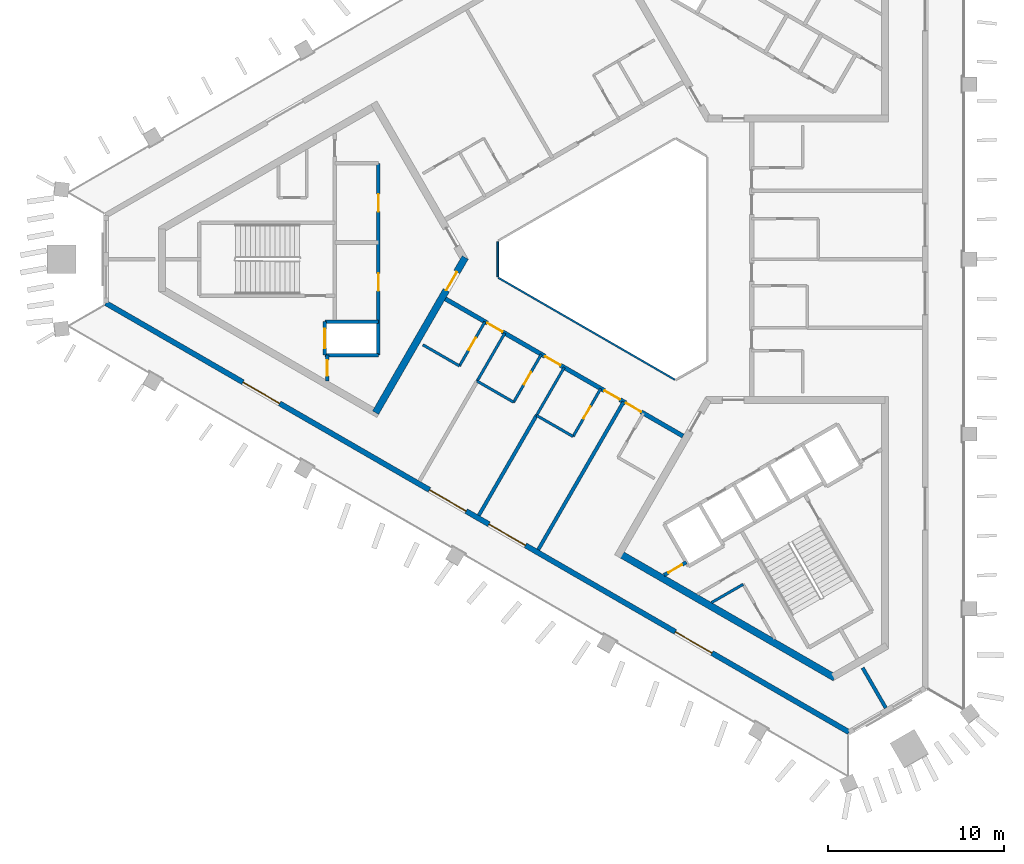
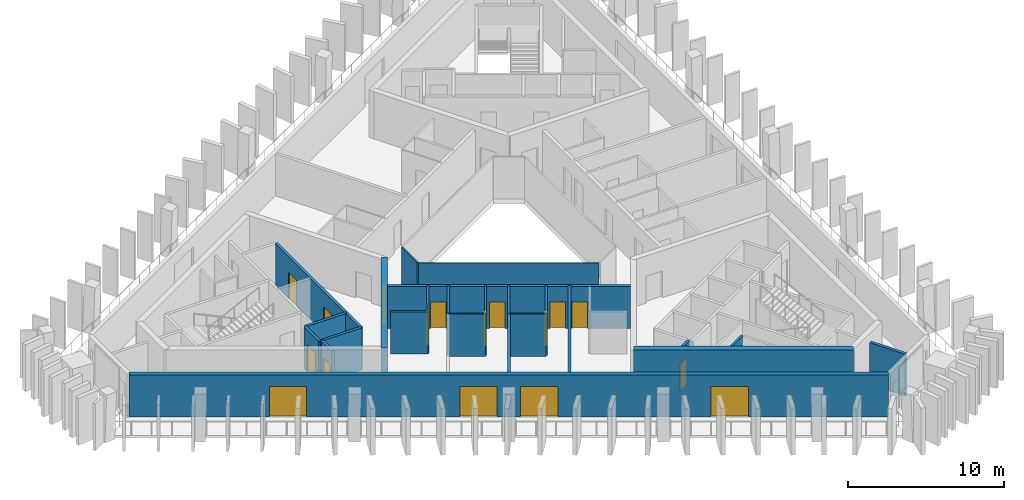
# One storey, part 2 of 10: 24 walls, 17 doors, 17 openings.
"""IFC4 building model written with IfcOpenShell, lengths in metres."""

import ifcopenshell
import ifcopenshell.guid

model = None  # the IFC model being written
_history = None  # IfcOwnerHistory: only IFC2X3 demands one
_inside = {}  # id of a spatial element -> (the spatial element, [elements in it])
_under = {}  # id of a project, library or spatial element -> (it, [spatial elements below it])
_declared = {}  # id of a project -> (the project, [libraries it declares])
_typed = {}  # id of a type object -> (the type object, [elements of that type])
_made_of = {}  # id of a material, layer set ... -> (it, [elements and type objects made of it])


def new_model(schema):
    """Start an empty IFC model of exactly this schema.

    Asked for "IFC4X3", IfcOpenShell would pick the latest addendum, in which some entities
    have other attributes; the version numbers below select the first issue.
    IFC2X3 requires an IfcOwnerHistory on every rooted entity: one is made here for all.
    """
    global model, _history
    if schema == "IFC4X3":
        model = ifcopenshell.file(schema_version=(4, 3, 0, 0))
    else:
        model = ifcopenshell.file(schema=schema)
    _inside.clear()
    _under.clear()
    _declared.clear()
    _typed.clear()
    _made_of.clear()
    _history = None
    if model.schema == "IFC2X3":
        org = make("IfcOrganization", Name="unknown")
        user = make(
            "IfcPersonAndOrganization",
            ThePerson=make("IfcPerson", FamilyName="unknown"),
            TheOrganization=org,
        )
        app = make(
            "IfcApplication",
            ApplicationDeveloper=org,
            Version="unknown",
            ApplicationFullName="unknown",
            ApplicationIdentifier="unknown",
        )
        _history = make(
            "IfcOwnerHistory",
            OwningUser=user,
            OwningApplication=app,
            ChangeAction="ADDED",
            CreationDate=0,
        )
    return model


def make(cls, **values):
    """One entity of the class cls with the attributes given. An attribute that is None is left unset."""
    return model.create_entity(
        cls, **{name: value for name, value in values.items() if value is not None}
    )


def rooted(cls, **values):
    """An entity with a GlobalId (a new one), such as an element, a storey or a relation."""
    return make(cls, GlobalId=ifcopenshell.guid.new(), OwnerHistory=_history, **values)


def si_unit(unit_type, name, prefix=None):
    """IfcSIUnit, for example si_unit("LENGTHUNIT", "METRE", prefix="MILLI")."""
    return make("IfcSIUnit", UnitType=unit_type, Prefix=prefix, Name=name)


def assignment(units):
    """IfcUnitAssignment: the units of a project."""
    return None if units is None else make("IfcUnitAssignment", Units=units)


def point(xyz):
    """IfcCartesianPoint."""
    return None if xyz is None else make("IfcCartesianPoint", Coordinates=xyz)


def direction(xyz):
    """IfcDirection."""
    return None if xyz is None else make("IfcDirection", DirectionRatios=xyz)


def frame(location, z_axis=None, x_axis=None):
    """IfcAxis2Placement3D, a coordinate frame: its origin and axes. An axis left out is left unset."""
    return make(
        "IfcAxis2Placement3D",
        Location=point(location),
        Axis=direction(z_axis),
        RefDirection=direction(x_axis),
    )


def frame_2d(location, x_axis=None):
    """IfcAxis2Placement2D, a coordinate frame in the plane: its origin and x axis."""
    return make(
        "IfcAxis2Placement2D", Location=point(location), RefDirection=direction(x_axis)
    )


def origin():
    """The frame at (0, 0, 0) with its axes left unset."""
    return frame((0.0, 0.0, 0.0))


def place(relative_to, where):
    """IfcLocalPlacement: puts the frame where relative to a parent placement (None: the world)."""
    return make(
        "IfcLocalPlacement", PlacementRelTo=relative_to, RelativePlacement=where
    )


def context(
    kind, dimensions, precision=None, world=None, true_north=None, identifier=None
):
    """IfcGeometricRepresentationContext, for example the 3D "Model" context."""
    return make(
        "IfcGeometricRepresentationContext",
        ContextIdentifier=identifier,
        ContextType=kind,
        CoordinateSpaceDimension=dimensions,
        Precision=precision,
        WorldCoordinateSystem=world,
        TrueNorth=true_north,
    )


def subcontext(parent, identifier, kind, view, scale=None):
    """IfcGeometricRepresentationSubContext, for example "Body" below "Model"."""
    return make(
        "IfcGeometricRepresentationSubContext",
        ContextIdentifier=identifier,
        ContextType=kind,
        ParentContext=parent,
        TargetScale=scale,
        TargetView=view,
    )


def project(units=None, contexts=None):
    """IfcProject with its units and contexts."""
    return rooted(
        "IfcProject",
        Name="project",
        RepresentationContexts=contexts,
        UnitsInContext=assignment(units),
    )


def spatial(cls, under=None, at=None, **own):
    """A site, building, storey or space (cls), placed at a placement, below another one or the project."""
    s = rooted(cls, ObjectPlacement=at, **own)
    if under is not None:
        _under.setdefault(under.id(), (under, []))[1].append(s)
    return s


def profile(cls, at=None, kind="AREA", **sizes):
    """A parametric profile (cls). Its sizes go by their IFC names, for example OverallWidth=200.0."""
    return make(cls, ProfileType=kind, Position=at, **sizes)


def rectangle(**sizes):
    """IfcRectangleProfileDef."""
    return profile("IfcRectangleProfileDef", **sizes)


def extrude(swept, where, along, depth):
    """IfcExtrudedAreaSolid: the profile swept, set in the frame where, extruded along a direction by depth."""
    return make(
        "IfcExtrudedAreaSolid",
        SweptArea=swept,
        Position=where,
        ExtrudedDirection=direction(along),
        Depth=depth,
    )


def shape(context_of_items, identifier, shape_type, items):
    """IfcShapeRepresentation: the items that make up one representation, for example the "Body"."""
    return make(
        "IfcShapeRepresentation",
        ContextOfItems=context_of_items,
        RepresentationIdentifier=identifier,
        RepresentationType=shape_type,
        Items=items,
    )


def material(Name=None, Category=None):
    """IfcMaterial."""
    return make("IfcMaterial", Name=Name, Category=Category)


def layer(
    of_material, thickness, ventilated=None, Name=None, Category=None, Priority=None
):
    """IfcMaterialLayer: one layer of a wall or slab, of a material (None: an air gap)."""
    return make(
        "IfcMaterialLayer",
        Material=of_material,
        LayerThickness=thickness,
        IsVentilated=ventilated,
        Name=Name,
        Category=Category,
        Priority=Priority,
    )


def layer_set(layers, Name=None):
    """IfcMaterialLayerSet."""
    return make("IfcMaterialLayerSet", MaterialLayers=layers, LayerSetName=Name)


def made_of(thing, what):
    """Note that an element or type object is made of a material, layer set ...; save() writes the relation."""
    if what is not None:
        _made_of.setdefault(what.id(), (what, []))[1].append(thing)
    return thing


def type_object(cls, material=None, **own):
    """A type object (cls), such as IfcWallType, which elements share."""
    return made_of(rooted(cls, **own), material)


def element(
    cls,
    number,
    at=None,
    inside=None,
    cuts=None,
    type_object=None,
    material=None,
    context=None,
    identifier="Body",
    shape_type=None,
    held_by="IfcProductDefinitionShape",
    body=None,
    shapes=None,
    **own,
):
    """One element of the class cls, such as IfcWall. Its Tag is "e" and its number.

    at: its placement. inside: the storey or other place that contains it. cuts: it is an
    opening in that element (IfcRelVoidsElement). A single representation is given by context,
    identifier, shape_type and body (its items); several are given by shapes. held_by: the class
    of the entity that holds the representations. save() writes the other relations.
    """
    e = rooted(cls, Tag="e%d" % number, ObjectPlacement=at, **own)
    if body is not None:
        shapes = [shape(context, identifier, shape_type, body)]
    if shapes is not None:
        e.Representation = make(held_by, Representations=shapes)
    if inside is not None:
        _inside.setdefault(inside.id(), (inside, []))[1].append(e)
    if cuts is not None:
        rooted(
            "IfcRelVoidsElement", RelatingBuildingElement=cuts, RelatedOpeningElement=e
        )
    if type_object is not None:
        _typed.setdefault(type_object.id(), (type_object, []))[1].append(e)
    return made_of(e, material)


def fill(opening, filler):
    """IfcRelFillsElement: the door or window that sits in an opening."""
    return rooted(
        "IfcRelFillsElement",
        RelatingOpeningElement=opening,
        RelatedBuildingElement=filler,
    )


def aggregate(whole, parts):
    """IfcRelAggregates: a whole, such as a stair, and the parts it consists of."""
    return rooted("IfcRelAggregates", RelatingObject=whole, RelatedObjects=parts)


def save(model, path):
    """Write the relations noted so far, then the file.

    IfcRelAggregates (storeys below a building ...), IfcRelContainedInSpatialStructure (elements
    in a storey), IfcRelDefinesByType, IfcRelAssociatesMaterial and IfcRelDeclares: one each for
    every whole, place, type object, material and project.
    """
    for whole, parts in _under.values():
        aggregate(whole, parts)
    for where, things in _inside.values():
        rooted(
            "IfcRelContainedInSpatialStructure",
            RelatedElements=things,
            RelatingStructure=where,
        )
    for kind, things in _typed.values():
        rooted("IfcRelDefinesByType", RelatedObjects=things, RelatingType=kind)
    for what, things in _made_of.values():
        rooted("IfcRelAssociatesMaterial", RelatedObjects=things, RelatingMaterial=what)
    for by, libraries in _declared.values():
        rooted("IfcRelDeclares", RelatingContext=by, RelatedDefinitions=libraries)
    model.write(path)


model = new_model("IFC4")

# Units and contexts
model_context = context("Model", 3, precision=1e-05, world=origin(), true_north=direction((0.0, 1.0)))
body_context = subcontext(model_context, "Body", "Model", "MODEL_VIEW")
ifc_project = project(units=[si_unit("LENGTHUNIT", "METRE"), si_unit("AREAUNIT", "SQUARE_METRE"), si_unit("VOLUMEUNIT", "CUBIC_METRE"), si_unit("PLANEANGLEUNIT", "RADIAN"), si_unit("MASSUNIT", "GRAM", prefix="KILO")], contexts=[model_context])

# Site, building, storey
site_placement = place(None, origin())
site = spatial("IfcSite", under=ifc_project, at=site_placement, CompositionType="ELEMENT")
building_placement = place(site_placement, origin())
building = spatial("IfcBuilding", under=site, at=building_placement, Name="Jabali Bay Hotel Tower and Convention Centre", CompositionType="ELEMENT")
storey_placement = place(building_placement, frame((0.0, 0.0, 255.300048828125)))
storey = spatial("IfcBuildingStorey", under=building, at=storey_placement, Name="L62", CompositionType="ELEMENT", Elevation=255.300048828125)

# Walls
ifc_material_1 = material(Name="Fire-resistant glazing", Category="glass")
ifc_layer_1 = layer(ifc_material_1, 0.10009765625)
ifc_layer_set_1 = layer_set([ifc_layer_1], Name="Fire-resistant glazing")
wall_type_1 = type_object("IfcWallType", Name="Atrium glazed screen 100", PredefinedType="PARTITIONING", material=ifc_layer_set_1)
wall_1_placement = place(storey_placement, frame((67.672119140625, 81.0, 0.0), z_axis=(0.0, 0.0, 1.0), x_axis=(0.0, -1.0, 0.0)))
element("IfcWall", 1, at=wall_1_placement, inside=storey, type_object=wall_type_1, Name="Atrium screen 4 L62", PredefinedType="PARTITIONING", context=body_context, shape_type="SweptSolid", body=[
    extrude(rectangle(XDim=2.0, YDim=0.10009765625, at=frame_2d((1.0, 0.0))), origin(), (0.0, 0.0, 1.0), 3.300048828125),
])
wall_2_placement = place(storey_placement, frame((67.7021484375, 78.947998046875, 0.0), z_axis=(0.0, 0.0, 1.0), x_axis=(0.866026658274, -0.499997827154, 0.0)))
element("IfcWall", 2, at=wall_2_placement, inside=storey, type_object=wall_type_1, Name="Atrium screen 5 L62", PredefinedType="PARTITIONING", context=body_context, shape_type="SweptSolid", body=[
    extrude(rectangle(XDim=11.58837890625, YDim=0.10009765625, at=frame_2d((5.794189453125, 0.0))), origin(), (0.0, 0.0, 1.0), 3.300048828125),
])

# Wall, opening, door
ifc_material_2 = material(Name="Concrete C40", Category="concrete")
ifc_layer_2 = layer(ifc_material_2, 0.199951171875)
ifc_layer_set_2 = layer_set([ifc_layer_2], Name="Concrete C40")
wall_type_2 = type_object("IfcWallType", Name="Core partition wall 200", PredefinedType="PARTITIONING", material=ifc_layer_set_2)
wall_3_placement = place(storey_placement, frame((58.0, 74.550048828125, 0.0), z_axis=(0.0, 0.0, 1.0), x_axis=(0.0, -1.0, 0.0)))
wall_3 = element("IfcWall", 3, at=wall_3_placement, inside=storey, type_object=wall_type_2, Name="Core wall 0.10 L62", PredefinedType="PARTITIONING", context=body_context, shape_type="SweptSolid", body=[
    extrude(rectangle(XDim=1.455078125, YDim=0.199951171875, at=frame_2d((0.7275390625, 0.0))), origin(), (0.0, 0.0, 1.0), 3.300048828125),
])
opening_1_placement = place(wall_3_placement, frame((0.277587890625, 0.0, 0.0)))
opening_1 = element("IfcOpeningElement", 4, at=opening_1_placement, cuts=wall_3, Name="Opening D1356", PredefinedType="OPENING", context=body_context, shape_type="SweptSolid", body=[
    extrude(rectangle(XDim=0.89990234375, YDim=2.10009765625, at=frame_2d((0.449951171875, 1.050048828125))), frame((0.0, 0.1103515625, 0.0), z_axis=(0.0, -1.0, 0.0), x_axis=(1.0, 0.0, 0.0)), (0.0, 0.0, 1.0), 0.220947265625),
])
ifc_material_3 = material(Name="Fire-rated steel door", Category="steel")
door_type_1 = type_object("IfcDoorType", Name="Vestibule fire door 900 x 2100", OperationType="NOTDEFINED", PredefinedType="NOTDEFINED", material=ifc_material_3)
door_1_placement = place(opening_1_placement, origin())
door_1 = element("IfcDoor", 5, at=door_1_placement, inside=storey, type_object=door_type_1, Name="Vestibule fire door D1356", OperationType="SINGLE_SWING_LEFT", OverallHeight=2.10009765625, OverallWidth=0.89990234375, PredefinedType="NOTDEFINED", context=body_context, shape_type="SweptSolid", body=[
    extrude(rectangle(XDim=0.89990234375, YDim=2.10009765625, at=frame_2d((0.449951171875, 1.050048828125))), frame((0.0, 0.02490234375, 0.0), z_axis=(0.0, -1.0, 0.0), x_axis=(1.0, 0.0, 0.0)), (0.0, 0.0, 1.0), 0.050048828125),
])
fill(opening_1, door_1)

wall_4_placement = place(storey_placement, frame((77.119873046875, 62.055908203125, 0.0), z_axis=(0.0, 0.0, 1.0), x_axis=(0.866054810376, 0.49994906283, 0.0)))
wall_4 = element("IfcWall", 6, at=wall_4_placement, inside=storey, type_object=wall_type_2, Name="Core wall 2.12 L62", PredefinedType="PARTITIONING", context=body_context, shape_type="SweptSolid", body=[
    extrude(rectangle(XDim=1.461181640625, YDim=0.199951171875, at=frame_2d((0.73046875, 0.0))), origin(), (0.0, 0.0, 1.0), 3.300048828125),
])
opening_2_placement = place(wall_4_placement, frame((0.280517578125, 0.0, 0.0)))
opening_2 = element("IfcOpeningElement", 7, at=opening_2_placement, cuts=wall_4, Name="Opening D1373", PredefinedType="OPENING", context=body_context, shape_type="SweptSolid", body=[
    extrude(rectangle(XDim=0.89990234375, YDim=2.10009765625, at=frame_2d((0.449951171875, 1.050048828125))), frame((0.0, 0.1103515625, 0.0), z_axis=(0.0, -1.0, 0.0), x_axis=(1.0, 0.0, 0.0)), (0.0, 0.0, 1.0), 0.220947265625),
])
door_2_placement = place(opening_2_placement, origin())
door_2 = element("IfcDoor", 8, at=door_2_placement, inside=storey, type_object=door_type_1, Name="Vestibule fire door D1373", OperationType="SINGLE_SWING_LEFT", OverallHeight=2.10009765625, OverallWidth=0.89990234375, PredefinedType="NOTDEFINED", context=body_context, shape_type="SweptSolid", body=[
    extrude(rectangle(XDim=0.89990234375, YDim=2.10009765625, at=frame_2d((0.449951171875, 1.050048828125))), frame((0.0, 0.02490234375, 0.0), z_axis=(0.0, -1.0, 0.0), x_axis=(1.0, 0.0, 0.0)), (0.0, 0.0, 1.0), 0.050048828125),
])
fill(opening_2, door_2)

# Walls
ifc_material_4 = material(Name="Fire-rated board partition")
ifc_layer_3 = layer(ifc_material_4, 0.14990234375)
ifc_layer_set_3 = layer_set([ifc_layer_3], Name="Fire-rated board partition")
wall_type_3 = type_object("IfcWallType", Name="Core room partition 150", PredefinedType="PARTITIONING", material=ifc_layer_set_3)
wall_5_placement = place(storey_placement, frame((79.820068359375, 60.4970703125, 0.0), z_axis=(0.0, 0.0, 1.0), x_axis=(0.866021168401, 0.500007335828, 0.0)))
element("IfcWall", 9, at=wall_5_placement, inside=storey, type_object=wall_type_3, Name="Core wall 2.17 L62", PredefinedType="PARTITIONING", context=body_context, shape_type="SweptSolid", body=[
    extrude(rectangle(XDim=2.0771484375, YDim=0.14990234375, at=frame_2d((1.03857421875, 0.0))), origin(), (0.0, 0.0, 1.0), 3.300048828125),
])
ifc_layer_4 = layer(ifc_material_2, 0.199951171875)
ifc_layer_set_4 = layer_set([ifc_layer_4], Name="Concrete C40")
wall_type_4 = type_object("IfcWallType", Name="Core stair wall 200", PredefinedType="SOLIDWALL", material=ifc_layer_set_4)
for number, where, z_axis, x_axis, name in (
    (10, (60.89990234375, 76.449951171875, 0.0), (0.0, 0.0, 1.0), (-1.0, 0.0, 0.0), "Core wall 0.6 L62"),
    (11, (60.89990234375, 74.550048828125, 0.0), (0.0, 0.0, 1.0), (-1.0, 0.0, 0.0), "Core wall 0.7 L62"),
):
    element("IfcWall", number, at=place(storey_placement, frame(where, z_axis=z_axis, x_axis=x_axis)), inside=storey, type_object=wall_type_4, Name=name, PredefinedType="SOLIDWALL", context=body_context, shape_type="SweptSolid", body=[
        extrude(rectangle(XDim=3.0498046875, YDim=0.199951171875, at=frame_2d((1.52490234375, 0.0))), origin(), (0.0, 0.0, 1.0), 3.300048828125),
    ])

# Wall, openings, doors
wall_6_placement = place(storey_placement, frame((60.89990234375, 85.449951171875, 0.0), z_axis=(0.0, 0.0, 1.0), x_axis=(0.0, -1.0, 0.0)))
wall_6 = element("IfcWall", 12, at=wall_6_placement, inside=storey, type_object=wall_type_4, Name="Core wall 0.8 L62", PredefinedType="SOLIDWALL", context=body_context, shape_type="SweptSolid", body=[
    extrude(rectangle(XDim=10.89990234375, YDim=0.199951171875, at=frame_2d((5.449951171875, 0.0))), origin(), (0.0, 0.0, 1.0), 3.300048828125),
])
opening_3_placement = place(wall_6_placement, frame((1.75, 0.0, 0.0)))
opening_3 = element("IfcOpeningElement", 13, at=opening_3_placement, cuts=wall_6, Name="Opening D1354", PredefinedType="OPENING", context=body_context, shape_type="SweptSolid", body=[
    extrude(rectangle(XDim=1.0, YDim=2.10009765625, at=frame_2d((0.5, 1.050048828125))), frame((0.0, 0.1103515625, 0.0), z_axis=(0.0, -1.0, 0.0), x_axis=(1.0, 0.0, 0.0)), (0.0, 0.0, 1.0), 0.220947265625),
])
opening_4_placement = place(wall_6_placement, frame((6.25, 0.0, 0.0)))
opening_4 = element("IfcOpeningElement", 14, at=opening_4_placement, cuts=wall_6, Name="Opening D1355", PredefinedType="OPENING", context=body_context, shape_type="SweptSolid", body=[
    extrude(rectangle(XDim=1.0, YDim=2.10009765625, at=frame_2d((0.5, 1.050048828125))), frame((0.0, 0.1103515625, 0.0), z_axis=(0.0, -1.0, 0.0), x_axis=(1.0, 0.0, 0.0)), (0.0, 0.0, 1.0), 0.220947265625),
])
door_type_2 = type_object("IfcDoorType", Name="Core room door 1000 x 2100", OperationType="NOTDEFINED", PredefinedType="NOTDEFINED", material=ifc_material_3)
door_3_placement = place(opening_3_placement, origin())
door_3 = element("IfcDoor", 15, at=door_3_placement, inside=storey, type_object=door_type_2, Name="Core room door D1354", OperationType="SINGLE_SWING_RIGHT", OverallHeight=2.10009765625, OverallWidth=1.0, PredefinedType="NOTDEFINED", context=body_context, shape_type="SweptSolid", body=[
    extrude(rectangle(XDim=1.0, YDim=2.10009765625, at=frame_2d((0.5, 1.050048828125))), frame((0.0, 0.02490234375, 0.0), z_axis=(0.0, -1.0, 0.0), x_axis=(1.0, 0.0, 0.0)), (0.0, 0.0, 1.0), 0.050048828125),
])
fill(opening_3, door_3)
door_4_placement = place(opening_4_placement, origin())
door_4 = element("IfcDoor", 16, at=door_4_placement, inside=storey, type_object=door_type_2, Name="Core room door D1355", OperationType="SINGLE_SWING_RIGHT", OverallHeight=2.10009765625, OverallWidth=1.0, PredefinedType="NOTDEFINED", context=body_context, shape_type="SweptSolid", body=[
    extrude(rectangle(XDim=1.0, YDim=2.10009765625, at=frame_2d((0.5, 1.050048828125))), frame((0.0, 0.02490234375, 0.0), z_axis=(0.0, -1.0, 0.0), x_axis=(1.0, 0.0, 0.0)), (0.0, 0.0, 1.0), 0.050048828125),
])
fill(opening_4, door_4)

# Wall, opening, door
wall_7_placement = place(storey_placement, frame((57.85009765625, 76.449951171875, 0.0), z_axis=(0.0, 0.0, 1.0), x_axis=(0.0, -1.0, 0.0)))
wall_7 = element("IfcWall", 17, at=wall_7_placement, inside=storey, type_object=wall_type_4, Name="Core wall 0.11 L62", PredefinedType="SOLIDWALL", context=body_context, shape_type="SweptSolid", body=[
    extrude(rectangle(XDim=1.89990234375, YDim=0.199951171875, at=frame_2d((0.949951171875, 0.0))), origin(), (0.0, 0.0, 1.0), 3.300048828125),
])
opening_5_placement = place(wall_7_placement, frame((0.39990234375, 0.0, 0.0)))
opening_5 = element("IfcOpeningElement", 18, at=opening_5_placement, cuts=wall_7, Name="Opening LD5-L62", PredefinedType="OPENING", context=body_context, shape_type="SweptSolid", body=[
    extrude(rectangle(XDim=1.10009765625, YDim=2.10009765625, at=frame_2d((0.550048828125, 1.050048828125))), frame((0.0, 0.1103515625, 0.0), z_axis=(0.0, -1.0, 0.0), x_axis=(1.0, 0.0, 0.0)), (0.0, 0.0, 1.0), 0.220947265625),
])
ifc_material_5 = material(Name="Stainless steel landing door", Category="steel")
door_type_3 = type_object("IfcDoorType", Name="Landing door 1100 x 2100", OperationType="NOTDEFINED", PredefinedType="NOTDEFINED", material=ifc_material_5)
door_5_placement = place(opening_5_placement, origin())
door_5 = element("IfcDoor", 19, at=door_5_placement, inside=storey, type_object=door_type_3, Name="Landing doors LD5-L62", OperationType="SLIDING_TO_RIGHT", OverallHeight=2.10009765625, OverallWidth=1.10009765625, PredefinedType="NOTDEFINED", context=body_context, shape_type="SweptSolid", body=[
    extrude(rectangle(XDim=1.10009765625, YDim=2.10009765625, at=frame_2d((0.550048828125, 1.050048828125))), frame((0.0, 0.02490234375, 0.0), z_axis=(0.0, -1.0, 0.0), x_axis=(1.0, 0.0, 0.0)), (0.0, 0.0, 1.0), 0.050048828125),
])
fill(opening_5, door_5)

ifc_material_6 = material(Name="Concrete C60", Category="concrete")
ifc_layer_5 = layer(ifc_material_6, 0.39990234375)
ifc_layer_set_5 = layer_set([ifc_layer_5], Name="Concrete C60")
wall_type_5 = type_object("IfcWallType", Name="Core wall 400", PredefinedType="SHEAR", material=ifc_layer_set_5)
wall_8_placement = place(storey_placement, frame((60.73681640625, 71.283935546875, 0.0), z_axis=(0.0, 0.0, 1.0), x_axis=(0.50000547566, 0.866022242388, 0.0)))
wall_8 = element("IfcWall", 20, at=wall_8_placement, inside=storey, type_object=wall_type_5, Name="Core wall 1.5 L62", PredefinedType="SHEAR", context=body_context, shape_type="SweptSolid", body=[
    extrude(rectangle(XDim=10.18017578125, YDim=0.39990234375, at=frame_2d((5.090087890625, 0.0))), origin(), (0.0, 0.0, 1.0), 3.699951171875),
])
opening_6_placement = place(wall_8_placement, frame((8.030029296875, 0.0, 0.0)))
opening_6 = element("IfcOpeningElement", 21, at=opening_6_placement, cuts=wall_8, Name="Opening D1353", PredefinedType="OPENING", context=body_context, shape_type="SweptSolid", body=[
    extrude(rectangle(XDim=1.199951171875, YDim=2.10009765625, at=frame_2d((0.60009765625, 1.050048828125))), frame((0.0, 0.21044921875, 0.0), z_axis=(0.0, -1.0, 0.0), x_axis=(1.0, 0.0, 0.0)), (0.0, 0.0, 1.0), 0.4208984375),
])
door_type_4 = type_object("IfcDoorType", Name="Corridor end fire door 1200 x 2100", OperationType="NOTDEFINED", PredefinedType="NOTDEFINED", material=ifc_material_3)
door_6_placement = place(opening_6_placement, origin())
door_6 = element("IfcDoor", 22, at=door_6_placement, inside=storey, type_object=door_type_4, Name="Corridor end fire door D1353", OperationType="SINGLE_SWING_LEFT", OverallHeight=2.10009765625, OverallWidth=1.199951171875, PredefinedType="NOTDEFINED", context=body_context, shape_type="SweptSolid", body=[
    extrude(rectangle(XDim=1.199951171875, YDim=2.10009765625, at=frame_2d((0.60009765625, 1.050048828125))), frame((0.0, 0.02490234375, 0.0), z_axis=(0.0, -1.0, 0.0), x_axis=(1.0, 0.0, 0.0)), (0.0, 0.0, 1.0), 0.050048828125),
])
fill(opening_6, door_6)

# Wall
wall_9_placement = place(storey_placement, frame((74.583251953125, 63.28955078125, 0.0), z_axis=(0.0, 0.0, 1.0), x_axis=(0.866024494188, -0.500001575463, 0.0)))
element("IfcWall", 23, at=wall_9_placement, inside=storey, type_object=wall_type_5, Name="Core wall 3.2 L62", PredefinedType="SHEAR", context=body_context, shape_type="SweptSolid", body=[
    extrude(rectangle(XDim=14.13330078125, YDim=0.39990234375, at=frame_2d((7.066650390625, 0.0))), origin(), (0.0, 0.0, 1.0), 3.699951171875),
])

# Wall, openings, doors
ifc_layer_6 = layer(ifc_material_6, 0.25)
ifc_layer_set_6 = layer_set([ifc_layer_6], Name="Concrete C60")
wall_type_6 = type_object("IfcWallType", Name="Corridor wall 250", PredefinedType="SHEAR", material=ifc_layer_set_6)
wall_10_placement = place(storey_placement, frame((64.699951171875, 77.748291015625, 0.0), z_axis=(0.0, 0.0, 1.0), x_axis=(0.866026492143, -0.499998114903, 0.0)))
wall_10 = element("IfcWall", 24, at=wall_10_placement, inside=storey, type_object=wall_type_6, Name="Corridor wall 3 L62", PredefinedType="SHEAR", context=body_context, shape_type="SweptSolid", body=[
    extrude(rectangle(XDim=15.58837890625, YDim=0.25, at=frame_2d((7.794189453125, 0.0))), origin(), (0.0, 0.0, 1.0), 3.300048828125),
])
opening_7_placement = place(wall_10_placement, frame((2.7470703125, 0.0, 0.0)))
opening_7 = element("IfcOpeningElement", 25, at=opening_7_placement, cuts=wall_10, Name="Opening 6216", PredefinedType="OPENING", context=body_context, shape_type="SweptSolid", body=[
    extrude(rectangle(XDim=1.0, YDim=2.10009765625, at=frame_2d((0.5, 1.050048828125))), frame((0.0, 0.135498046875, 0.0), z_axis=(0.0, -1.0, 0.0), x_axis=(1.0, 0.0, 0.0)), (0.0, 0.0, 1.0), 0.27099609375),
])
opening_8_placement = place(wall_10_placement, frame((6.544189453125, 0.0, 0.0)))
opening_8 = element("IfcOpeningElement", 26, at=opening_8_placement, cuts=wall_10, Name="Opening 6218", PredefinedType="OPENING", context=body_context, shape_type="SweptSolid", body=[
    extrude(rectangle(XDim=1.0, YDim=2.10009765625, at=frame_2d((0.5, 1.050048828125))), frame((0.0, 0.135498046875, 0.0), z_axis=(0.0, -1.0, 0.0), x_axis=(1.0, 0.0, 0.0)), (0.0, 0.0, 1.0), 0.27099609375),
])
opening_9_placement = place(wall_10_placement, frame((10.44140625, 0.0, 0.0)))
opening_9 = element("IfcOpeningElement", 27, at=opening_9_placement, cuts=wall_10, Name="Opening 6220", PredefinedType="OPENING", context=body_context, shape_type="SweptSolid", body=[
    extrude(rectangle(XDim=1.0, YDim=2.10009765625, at=frame_2d((0.5, 1.050048828125))), frame((0.0, 0.135498046875, 0.0), z_axis=(0.0, -1.0, 0.0), x_axis=(1.0, 0.0, 0.0)), (0.0, 0.0, 1.0), 0.27099609375),
])
opening_10_placement = place(wall_10_placement, frame((11.84130859375, 0.0, 0.0)))
opening_10 = element("IfcOpeningElement", 28, at=opening_10_placement, cuts=wall_10, Name="Opening 6222", PredefinedType="OPENING", context=body_context, shape_type="SweptSolid", body=[
    extrude(rectangle(XDim=1.0, YDim=2.10009765625, at=frame_2d((0.5, 1.050048828125))), frame((0.0, 0.135498046875, 0.0), z_axis=(0.0, -1.0, 0.0), x_axis=(1.0, 0.0, 0.0)), (0.0, 0.0, 1.0), 0.27099609375),
])
ifc_material_7 = material(Name="Timber", Category="wood")
door_type_5 = type_object("IfcDoorType", Name="Guest room door 1000 x 2100", OperationType="NOTDEFINED", PredefinedType="NOTDEFINED", material=ifc_material_7)
door_7_placement = place(opening_7_placement, origin())
door_7 = element("IfcDoor", 29, at=door_7_placement, inside=storey, type_object=door_type_5, Name="Door 6216", OperationType="SINGLE_SWING_LEFT", OverallHeight=2.10009765625, OverallWidth=1.0, PredefinedType="NOTDEFINED", context=body_context, shape_type="SweptSolid", body=[
    extrude(rectangle(XDim=1.0, YDim=2.10009765625, at=frame_2d((0.5, 1.050048828125))), frame((0.0, 0.02490234375, 0.0), z_axis=(0.0, -1.0, 0.0), x_axis=(1.0, 0.0, 0.0)), (0.0, 0.0, 1.0), 0.050048828125),
])
fill(opening_7, door_7)
door_8_placement = place(opening_8_placement, origin())
door_8 = element("IfcDoor", 30, at=door_8_placement, inside=storey, type_object=door_type_5, Name="Door 6218", OperationType="SINGLE_SWING_LEFT", OverallHeight=2.10009765625, OverallWidth=1.0, PredefinedType="NOTDEFINED", context=body_context, shape_type="SweptSolid", body=[
    extrude(rectangle(XDim=1.0, YDim=2.10009765625, at=frame_2d((0.5, 1.050048828125))), frame((0.0, 0.02490234375, 0.0), z_axis=(0.0, -1.0, 0.0), x_axis=(1.0, 0.0, 0.0)), (0.0, 0.0, 1.0), 0.050048828125),
])
fill(opening_8, door_8)
door_9_placement = place(opening_9_placement, origin())
door_9 = element("IfcDoor", 31, at=door_9_placement, inside=storey, type_object=door_type_5, Name="Door 6220", OperationType="SINGLE_SWING_RIGHT", OverallHeight=2.10009765625, OverallWidth=1.0, PredefinedType="NOTDEFINED", context=body_context, shape_type="SweptSolid", body=[
    extrude(rectangle(XDim=1.0, YDim=2.10009765625, at=frame_2d((0.5, 1.050048828125))), frame((0.0, 0.02490234375, 0.0), z_axis=(0.0, -1.0, 0.0), x_axis=(1.0, 0.0, 0.0)), (0.0, 0.0, 1.0), 0.050048828125),
])
fill(opening_9, door_9)
door_10_placement = place(opening_10_placement, origin())
door_10 = element("IfcDoor", 32, at=door_10_placement, inside=storey, type_object=door_type_5, Name="Door 6222", OperationType="SINGLE_SWING_RIGHT", OverallHeight=2.10009765625, OverallWidth=1.0, PredefinedType="NOTDEFINED", context=body_context, shape_type="SweptSolid", body=[
    extrude(rectangle(XDim=1.0, YDim=2.10009765625, at=frame_2d((0.5, 1.050048828125))), frame((0.0, 0.02490234375, 0.0), z_axis=(0.0, -1.0, 0.0), x_axis=(1.0, 0.0, 0.0)), (0.0, 0.0, 1.0), 0.050048828125),
])
fill(opening_10, door_10)

ifc_layer_7 = layer(ifc_material_2, 0.300048828125)
ifc_layer_set_7 = layer_set([ifc_layer_7], Name="Concrete C40")
wall_type_7 = type_object("IfcWallType", Name="External wall 300", PredefinedType="SOLIDWALL", material=ifc_layer_set_7)
wall_11_placement = place(storey_placement, frame((87.6328125, 53.132568359375, 0.0), z_axis=(0.0, 0.0, 1.0), x_axis=(-0.866025373204, 0.500000052967, 0.0)))
wall_11 = element("IfcWall", 33, at=wall_11_placement, inside=storey, type_object=wall_type_7, Name="External wall south-west face L62", PredefinedType="SOLIDWALL", context=body_context, shape_type="SweptSolid", body=[
    extrude(rectangle(XDim=48.748046875, YDim=0.300048828125, at=frame_2d((24.3740234375, 0.0))), origin(), (0.0, 0.0, 1.0), 3.300048828125),
])
opening_11_placement = place(wall_11_placement, frame((37.35302734375, 0.0, 0.0)))
opening_11 = element("IfcOpeningElement", 34, at=opening_11_placement, cuts=wall_11, Name="Opening SD1", PredefinedType="OPENING", context=body_context, shape_type="SweptSolid", body=[
    extrude(rectangle(XDim=2.39990234375, YDim=2.39990234375, at=frame_2d((1.199951171875, 1.199951171875))), frame((0.0, 0.16064453125, 0.0), z_axis=(0.0, -1.0, 0.0), x_axis=(1.0, 0.0, 0.0)), (0.0, 0.0, 1.0), 0.321044921875),
])
opening_12_placement = place(wall_11_placement, frame((8.9951171875, 0.0, 0.0)))
opening_12 = element("IfcOpeningElement", 35, at=opening_12_placement, cuts=wall_11, Name="Opening SD1", PredefinedType="OPENING", context=body_context, shape_type="SweptSolid", body=[
    extrude(rectangle(XDim=2.39990234375, YDim=2.39990234375, at=frame_2d((1.199951171875, 1.199951171875))), frame((0.0, 0.16064453125, 0.0), z_axis=(0.0, -1.0, 0.0), x_axis=(1.0, 0.0, 0.0)), (0.0, 0.0, 1.0), 0.321044921875),
])
opening_13_placement = place(wall_11_placement, frame((25.12255859375, 0.0, 0.0)))
opening_13 = element("IfcOpeningElement", 36, at=opening_13_placement, cuts=wall_11, Name="Opening SD1", PredefinedType="OPENING", context=body_context, shape_type="SweptSolid", body=[
    extrude(rectangle(XDim=2.39990234375, YDim=2.39990234375, at=frame_2d((1.199951171875, 1.199951171875))), frame((0.0, 0.16064453125, 0.0), z_axis=(0.0, -1.0, 0.0), x_axis=(1.0, 0.0, 0.0)), (0.0, 0.0, 1.0), 0.321044921875),
])
opening_14_placement = place(wall_11_placement, frame((21.2255859375, 0.0, 0.0)))
opening_14 = element("IfcOpeningElement", 37, at=opening_14_placement, cuts=wall_11, Name="Opening SD1", PredefinedType="OPENING", context=body_context, shape_type="SweptSolid", body=[
    extrude(rectangle(XDim=2.39990234375, YDim=2.39990234375, at=frame_2d((1.199951171875, 1.199951171875))), frame((0.0, 0.16064453125, 0.0), z_axis=(0.0, -1.0, 0.0), x_axis=(1.0, 0.0, 0.0)), (0.0, 0.0, 1.0), 0.321044921875),
])
ifc_material_8 = material(Name="Glass", Category="glass")
door_type_6 = type_object("IfcDoorType", Name="Loggia sliding door 2400 x 2400", OperationType="NOTDEFINED", PredefinedType="NOTDEFINED", material=ifc_material_8)
door_11_placement = place(opening_11_placement, origin())
door_11 = element("IfcDoor", 38, at=door_11_placement, inside=storey, type_object=door_type_6, Name="Loggia sliding door 6207", OperationType="SLIDING_TO_LEFT", OverallHeight=2.39990234375, OverallWidth=2.39990234375, PredefinedType="NOTDEFINED", context=body_context, shape_type="SweptSolid", body=[
    extrude(rectangle(XDim=2.39990234375, YDim=2.39990234375, at=frame_2d((1.199951171875, 1.199951171875))), frame((0.0, 0.02490234375, 0.0), z_axis=(0.0, -1.0, 0.0), x_axis=(1.0, 0.0, 0.0)), (0.0, 0.0, 1.0), 0.050048828125),
])
fill(opening_11, door_11)
door_12_placement = place(opening_12_placement, origin())
door_12 = element("IfcDoor", 39, at=door_12_placement, inside=storey, type_object=door_type_6, Name="Loggia sliding door 6210", OperationType="SLIDING_TO_RIGHT", OverallHeight=2.39990234375, OverallWidth=2.39990234375, PredefinedType="NOTDEFINED", context=body_context, shape_type="SweptSolid", body=[
    extrude(rectangle(XDim=2.39990234375, YDim=2.39990234375, at=frame_2d((1.199951171875, 1.199951171875))), frame((0.0, 0.02490234375, 0.0), z_axis=(0.0, -1.0, 0.0), x_axis=(1.0, 0.0, 0.0)), (0.0, 0.0, 1.0), 0.050048828125),
])
fill(opening_12, door_12)
door_13_placement = place(opening_13_placement, origin())
door_13 = element("IfcDoor", 40, at=door_13_placement, inside=storey, type_object=door_type_6, Name="Loggia sliding door 6208", OperationType="SLIDING_TO_LEFT", OverallHeight=2.39990234375, OverallWidth=2.39990234375, PredefinedType="NOTDEFINED", context=body_context, shape_type="SweptSolid", body=[
    extrude(rectangle(XDim=2.39990234375, YDim=2.39990234375, at=frame_2d((1.199951171875, 1.199951171875))), frame((0.0, 0.02490234375, 0.0), z_axis=(0.0, -1.0, 0.0), x_axis=(1.0, 0.0, 0.0)), (0.0, 0.0, 1.0), 0.050048828125),
])
fill(opening_13, door_13)
door_14_placement = place(opening_14_placement, origin())
door_14 = element("IfcDoor", 41, at=door_14_placement, inside=storey, type_object=door_type_6, Name="Loggia sliding door 6209", OperationType="SLIDING_TO_RIGHT", OverallHeight=2.39990234375, OverallWidth=2.39990234375, PredefinedType="NOTDEFINED", context=body_context, shape_type="SweptSolid", body=[
    extrude(rectangle(XDim=2.39990234375, YDim=2.39990234375, at=frame_2d((1.199951171875, 1.199951171875))), frame((0.0, 0.02490234375, 0.0), z_axis=(0.0, -1.0, 0.0), x_axis=(1.0, 0.0, 0.0)), (0.0, 0.0, 1.0), 0.050048828125),
])
fill(opening_14, door_14)

# Wall, opening, door
ifc_material_9 = material(Name="Plasterboard on steel stud", Category="steel")
ifc_layer_8 = layer(ifc_material_9, 0.14990234375)
ifc_layer_set_8 = layer_set([ifc_layer_8], Name="Plasterboard on steel stud")
wall_type_8 = type_object("IfcWallType", Name="Partition 150 wet", PredefinedType="PARTITIONING", material=ifc_layer_set_8)
wall_12_placement = place(storey_placement, frame((66.94921875, 76.44970703125, 0.0), z_axis=(0.0, 0.0, 1.0), x_axis=(-0.499987231761, -0.866032775405, 0.0)))
wall_12 = element("IfcWall", 42, at=wall_12_placement, inside=storey, type_object=wall_type_8, Name="Partition P03 L62 026", PredefinedType="PARTITIONING", context=body_context, shape_type="SweptSolid", body=[
    extrude(rectangle(XDim=2.89990234375, YDim=0.14990234375, at=frame_2d((1.449951171875, 0.0))), origin(), (0.0, 0.0, 1.0), 3.300048828125),
])
opening_15_placement = place(wall_12_placement, frame((1.050048828125, 0.0, 0.0)))
opening_15 = element("IfcOpeningElement", 43, at=opening_15_placement, cuts=wall_12, Name="Opening 6215", PredefinedType="OPENING", context=body_context, shape_type="SweptSolid", body=[
    extrude(rectangle(XDim=0.800048828125, YDim=2.10009765625, at=frame_2d((0.39990234375, 1.050048828125))), frame((0.0, 0.08544921875, 0.0), z_axis=(0.0, -1.0, 0.0), x_axis=(1.0, 0.0, 0.0)), (0.0, 0.0, 1.0), 0.1708984375),
])
door_type_7 = type_object("IfcDoorType", Name="En-suite door 800 x 2100", OperationType="NOTDEFINED", PredefinedType="NOTDEFINED", material=ifc_material_7)
door_15_placement = place(opening_15_placement, origin())
door_15 = element("IfcDoor", 44, at=door_15_placement, inside=storey, type_object=door_type_7, Name="Door 6215", OperationType="SINGLE_SWING_RIGHT", OverallHeight=2.10009765625, OverallWidth=0.800048828125, PredefinedType="NOTDEFINED", context=body_context, shape_type="SweptSolid", body=[
    extrude(rectangle(XDim=0.800048828125, YDim=2.10009765625, at=frame_2d((0.39990234375, 1.050048828125))), frame((0.0, 0.02490234375, 0.0), z_axis=(0.0, -1.0, 0.0), x_axis=(1.0, 0.0, 0.0)), (0.0, 0.0, 1.0), 0.050048828125),
])
fill(opening_15, door_15)

# Walls
wall_13_placement = place(storey_placement, frame((65.499267578125, 73.938232421875, 0.0), z_axis=(0.0, 0.0, 1.0), x_axis=(-0.866004188936, 0.500036743394, 0.0)))
element("IfcWall", 45, at=wall_13_placement, inside=storey, type_object=wall_type_8, Name="Partition P03 L62 027", PredefinedType="PARTITIONING", context=body_context, shape_type="SweptSolid", body=[
    extrude(rectangle(XDim=2.398193359375, YDim=0.14990234375, at=frame_2d((1.19921875, 0.0))), origin(), (0.0, 0.0, 1.0), 3.300048828125),
])
wall_14_placement = place(storey_placement, frame((66.502197265625, 73.07568359375, 0.0), z_axis=(0.0, 0.0, 1.0), x_axis=(0.499995674689, 0.86602790099, 0.0)))
element("IfcWall", 46, at=wall_14_placement, inside=storey, type_object=wall_type_8, Name="Partition P03 L62 029", PredefinedType="PARTITIONING", context=body_context, shape_type="SweptSolid", body=[
    extrude(rectangle(XDim=3.1455078125, YDim=0.14990234375, at=frame_2d((1.57275390625, 0.0))), origin(), (0.0, 0.0, 1.0), 3.300048828125),
])

# Wall, opening, door
wall_15_placement = place(storey_placement, frame((70.15087890625, 74.601318359375, 0.0), z_axis=(0.0, 0.0, 1.0), x_axis=(-0.499995674689, -0.86602790099, 0.0)))
wall_15 = element("IfcWall", 47, at=wall_15_placement, inside=storey, type_object=wall_type_8, Name="Partition P03 L62 030", PredefinedType="PARTITIONING", context=body_context, shape_type="SweptSolid", body=[
    extrude(rectangle(XDim=3.1455078125, YDim=0.14990234375, at=frame_2d((1.57275390625, 0.0))), origin(), (0.0, 0.0, 1.0), 3.300048828125),
])
opening_16_placement = place(wall_15_placement, frame((1.173095703125, 0.0, 0.0)))
opening_16 = element("IfcOpeningElement", 48, at=opening_16_placement, cuts=wall_15, Name="Opening 6217", PredefinedType="OPENING", context=body_context, shape_type="SweptSolid", body=[
    extrude(rectangle(XDim=0.800048828125, YDim=2.10009765625, at=frame_2d((0.39990234375, 1.050048828125))), frame((0.0, 0.08544921875, 0.0), z_axis=(0.0, -1.0, 0.0), x_axis=(1.0, 0.0, 0.0)), (0.0, 0.0, 1.0), 0.1708984375),
])
door_16_placement = place(opening_16_placement, origin())
door_16 = element("IfcDoor", 49, at=door_16_placement, inside=storey, type_object=door_type_7, Name="Door 6217", OperationType="SINGLE_SWING_RIGHT", OverallHeight=2.10009765625, OverallWidth=0.800048828125, PredefinedType="NOTDEFINED", context=body_context, shape_type="SweptSolid", body=[
    extrude(rectangle(XDim=0.800048828125, YDim=2.10009765625, at=frame_2d((0.39990234375, 1.050048828125))), frame((0.0, 0.02490234375, 0.0), z_axis=(0.0, -1.0, 0.0), x_axis=(1.0, 0.0, 0.0)), (0.0, 0.0, 1.0), 0.050048828125),
])
fill(opening_16, door_16)

# Walls
wall_16_placement = place(storey_placement, frame((68.578125, 71.877197265625, 0.0), z_axis=(0.0, 0.0, 1.0), x_axis=(-0.866034636017, 0.499984008963, 0.0)))
element("IfcWall", 50, at=wall_16_placement, inside=storey, type_object=wall_type_8, Name="Partition P03 L62 031", PredefinedType="PARTITIONING", context=body_context, shape_type="SweptSolid", body=[
    extrude(rectangle(XDim=2.39697265625, YDim=0.14990234375, at=frame_2d((1.198486328125, 0.0))), origin(), (0.0, 0.0, 1.0), 3.300048828125),
])
wall_17_placement = place(storey_placement, frame((69.877197265625, 71.127197265625, 0.0), z_axis=(0.0, 0.0, 1.0), x_axis=(0.499995674689, 0.86602790099, 0.0)))
element("IfcWall", 51, at=wall_17_placement, inside=storey, type_object=wall_type_8, Name="Partition P03 L62 033", PredefinedType="PARTITIONING", context=body_context, shape_type="SweptSolid", body=[
    extrude(rectangle(XDim=3.1455078125, YDim=0.14990234375, at=frame_2d((1.57275390625, 0.0))), origin(), (0.0, 0.0, 1.0), 3.300048828125),
])

# Wall, opening, door
wall_18_placement = place(storey_placement, frame((73.52587890625, 72.652587890625, 0.0), z_axis=(0.0, 0.0, 1.0), x_axis=(-0.500029284648, -0.866008495625, 0.0)))
wall_18 = element("IfcWall", 52, at=wall_18_placement, inside=storey, type_object=wall_type_8, Name="Partition P03 L62 034", PredefinedType="PARTITIONING", context=body_context, shape_type="SweptSolid", body=[
    extrude(rectangle(XDim=3.145263671875, YDim=0.14990234375, at=frame_2d((1.57275390625, 0.0))), origin(), (0.0, 0.0, 1.0), 3.300048828125),
])
opening_17_placement = place(wall_18_placement, frame((1.173095703125, 0.0, 0.0)))
opening_17 = element("IfcOpeningElement", 53, at=opening_17_placement, cuts=wall_18, Name="Opening 6219", PredefinedType="OPENING", context=body_context, shape_type="SweptSolid", body=[
    extrude(rectangle(XDim=0.800048828125, YDim=2.10009765625, at=frame_2d((0.39990234375, 1.050048828125))), frame((0.0, 0.08544921875, 0.0), z_axis=(0.0, -1.0, 0.0), x_axis=(1.0, 0.0, 0.0)), (0.0, 0.0, 1.0), 0.1708984375),
])
door_17_placement = place(opening_17_placement, origin())
door_17 = element("IfcDoor", 54, at=door_17_placement, inside=storey, type_object=door_type_7, Name="Door 6219", OperationType="SINGLE_SWING_RIGHT", OverallHeight=2.10009765625, OverallWidth=0.800048828125, PredefinedType="NOTDEFINED", context=body_context, shape_type="SweptSolid", body=[
    extrude(rectangle(XDim=0.800048828125, YDim=2.10009765625, at=frame_2d((0.39990234375, 1.050048828125))), frame((0.0, 0.02490234375, 0.0), z_axis=(0.0, -1.0, 0.0), x_axis=(1.0, 0.0, 0.0)), (0.0, 0.0, 1.0), 0.050048828125),
])
fill(opening_17, door_17)

# Walls
wall_19_placement = place(storey_placement, frame((71.953125, 69.9287109375, 0.0), z_axis=(0.0, 0.0, 1.0), x_axis=(-0.866034636017, 0.499984008963, 0.0)))
element("IfcWall", 55, at=wall_19_placement, inside=storey, type_object=wall_type_8, Name="Partition P03 L62 035", PredefinedType="PARTITIONING", context=body_context, shape_type="SweptSolid", body=[
    extrude(rectangle(XDim=2.39697265625, YDim=0.14990234375, at=frame_2d((1.198486328125, 0.0))), origin(), (0.0, 0.0, 1.0), 3.300048828125),
])
ifc_layer_9 = layer(ifc_material_9, 0.199951171875)
ifc_layer_set_9 = layer_set([ifc_layer_9], Name="Plasterboard on steel stud")
wall_type_9 = type_object("IfcWallType", Name="Partition 200 party", PredefinedType="PARTITIONING", material=ifc_layer_set_9)
wall_20_placement = place(storey_placement, frame((88.40185546875, 56.789306640625, 0.0), z_axis=(0.0, 0.0, 1.0), x_axis=(0.499997992926, -0.866026562566, 0.0)))
element("IfcWall", 56, at=wall_20_placement, inside=storey, type_object=wall_type_9, Name="Partition P01 L62 005", PredefinedType="PARTITIONING", context=body_context, shape_type="SweptSolid", body=[
    extrude(rectangle(XDim=2.63330078125, YDim=0.199951171875, at=frame_2d((1.316650390625, 0.0))), origin(), (0.0, 0.0, 1.0), 3.300048828125),
])
wall_21_placement = place(storey_placement, frame((66.598876953125, 65.44873046875, 0.0), z_axis=(0.0, 0.0, 1.0), x_axis=(0.499983526171, 0.866034914745, 0.0)))
element("IfcWall", 57, at=wall_21_placement, inside=storey, type_object=wall_type_9, Name="Partition P01 L62 032", PredefinedType="PARTITIONING", context=body_context, shape_type="SweptSolid", body=[
    extrude(rectangle(XDim=6.556884765625, YDim=0.199951171875, at=frame_2d((3.2783203125, 0.0))), origin(), (0.0, 0.0, 1.0), 3.300048828125),
])
wall_22_placement = place(storey_placement, frame((69.973876953125, 63.5, 0.0), z_axis=(0.0, 0.0, 1.0), x_axis=(0.499987464755, 0.86603264089, 0.0)))
element("IfcWall", 58, at=wall_22_placement, inside=storey, type_object=wall_type_9, Name="Partition P01 L62 036", PredefinedType="PARTITIONING", context=body_context, shape_type="SweptSolid", body=[
    extrude(rectangle(XDim=9.702392578125, YDim=0.199951171875, at=frame_2d((4.85107421875, 0.0))), origin(), (0.0, 0.0, 1.0), 3.300048828125),
])

save(model, "model.ifc")
